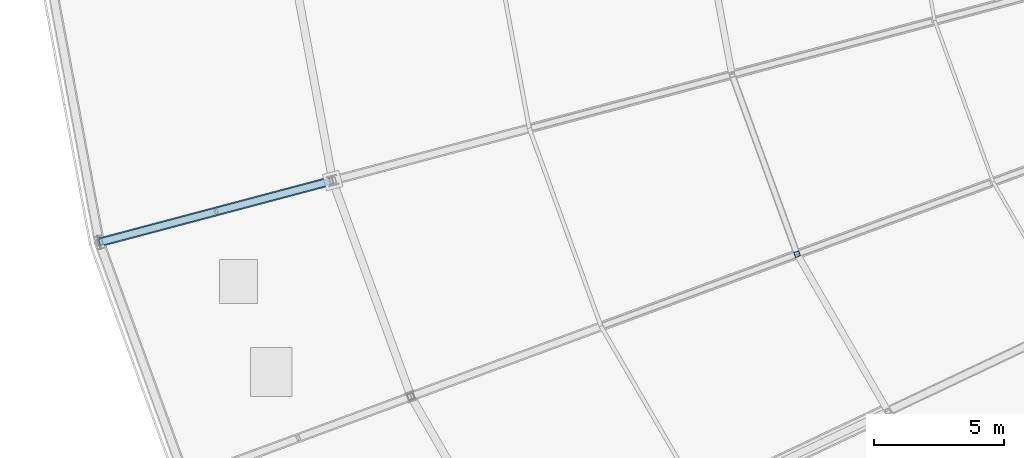
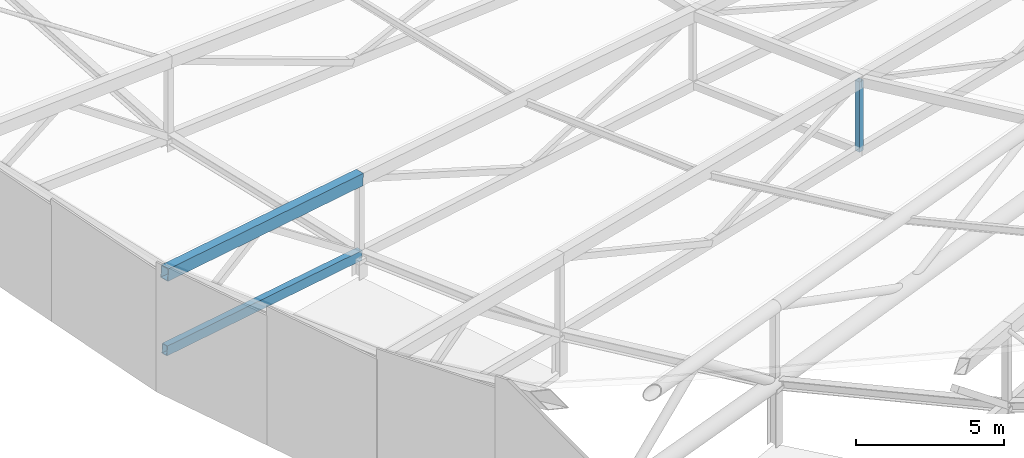
# One storey, part 23 of 143: 2 beams, 1 member.
"""IFC4 building model written with IfcOpenShell, lengths in metres."""

from ifc_helpers import new_model, si_unit, direction, frame, origin, origin_2d, place, context, subcontext, project, spatial, hollow_rectangle, extrude, material, material_profile, profile_set, type_object, element, save


model = new_model("IFC4")

# Units and contexts
model_context = context("Model", 3, precision=1e-05, world=origin(), true_north=direction((0.0, 1.0)))
body_context = subcontext(model_context, "Body", "Model", "MODEL_VIEW")
ifc_project = project(units=[si_unit("LENGTHUNIT", "METRE"), si_unit("AREAUNIT", "SQUARE_METRE"), si_unit("VOLUMEUNIT", "CUBIC_METRE"), si_unit("PLANEANGLEUNIT", "RADIAN"), si_unit("MASSUNIT", "GRAM", prefix="KILO")], contexts=[model_context])

# Site, building, storey
site_placement = place(None, origin())
site = spatial("IfcSite", under=ifc_project, at=site_placement, CompositionType="ELEMENT")
building_placement = place(site_placement, origin())
building = spatial("IfcBuilding", under=site, at=building_placement, Name="Mphavela Belvedere Stadium", CompositionType="ELEMENT")
storey_placement = place(building_placement, frame((0.0, 0.0, 28.800048828125)))
storey = spatial("IfcBuildingStorey", under=building, at=storey_placement, Name="RF", CompositionType="ELEMENT", Elevation=28.800048828125)

# Beams
ifc_material_1 = material(Name="Steel S355", Category="steel")
ifc_material_profile_1 = material_profile(ifc_material_1, hollow_rectangle(XDim=0.25, YDim=0.39990234375, WallThickness=0.01611328125, at=origin_2d()), Name="RHS 400x250x16")
ifc_profile_set_1 = profile_set([ifc_material_profile_1], Name="Steel S355")
beam_type_1 = type_object("IfcBeamType", Name="BM-TRUSS-BC2", PredefinedType="BEAM", material=ifc_profile_set_1)
beam_1_placement = place(storey_placement, frame((14.83544921875, 60.4375, 1.553955078125), z_axis=(0.964322564095, 0.255727748776, -0.068449330767), x_axis=(-0.256328944196, 0.966589609073, 0.0)))
element("IfcBeam", 1, at=beam_1_placement, inside=storey, type_object=beam_type_1, Name="Radial roof truss RT-27 bottom chord 1", PredefinedType="BEAM", context=body_context, shape_type="SweptSolid", body=[
    extrude(hollow_rectangle(XDim=0.25, YDim=0.39990234375, WallThickness=0.01611328125, at=origin_2d()), origin(), (0.0, 0.0, 1.0), 9.30908203125),
])
ifc_material_2 = material(Name="Steel S355", Category="steel")
ifc_material_profile_2 = material_profile(ifc_material_2, hollow_rectangle(XDim=0.35009765625, YDim=0.5, WallThickness=0.02001953125, at=origin_2d()), Name="RHS 500x350x20")
ifc_profile_set_2 = profile_set([ifc_material_profile_2], Name="Steel S355")
beam_type_2 = type_object("IfcBeamType", Name="BM-TRUSS-TC2", PredefinedType="BEAM", material=ifc_profile_set_2)
beam_2_placement = place(storey_placement, frame((14.83544921875, 60.4375, 4.7041015625), z_axis=(0.964322564095, 0.255727748776, -0.068449330767), x_axis=(-0.256328944196, 0.966589609073, 0.0)))
element("IfcBeam", 2, at=beam_2_placement, inside=storey, type_object=beam_type_2, Name="Radial roof truss RT-27 top chord 1", PredefinedType="BEAM", context=body_context, shape_type="SweptSolid", body=[
    extrude(hollow_rectangle(XDim=0.35009765625, YDim=0.5, WallThickness=0.02001953125, at=origin_2d()), origin(), (0.0, 0.0, 1.0), 9.30908203125),
])

# Member
ifc_material_3 = material(Name="Steel S355", Category="steel")
ifc_material_profile_3 = material_profile(ifc_material_3, hollow_rectangle(XDim=0.199951171875, YDim=0.199951171875, WallThickness=0.010009765625, at=origin_2d()), Name="SHS 200x200x10")
ifc_profile_set_3 = profile_set([ifc_material_profile_3], Name="Steel S355")
member_type = type_object("IfcMemberType", Name="MEM-POST-SHS200", PredefinedType="POST", material=ifc_profile_set_3)
member_placement = place(storey_placement, frame((41.672607421875, 59.98583984375, 0.654541015625), z_axis=(0.0, 0.0, 1.0), x_axis=(-0.938372433776, -0.34562577382, 0.0)))
element("IfcMember", 3, at=member_placement, inside=storey, type_object=member_type, Name="Radial roof truss RT-28 post P3", PredefinedType="POST", context=body_context, shape_type="SweptSolid", body=[
    extrude(hollow_rectangle(XDim=0.199951171875, YDim=0.199951171875, WallThickness=0.010009765625, at=origin_2d()), origin(), (0.0, 0.0, 1.0), 2.89990234375),
])

save(model, "model.ifc")
